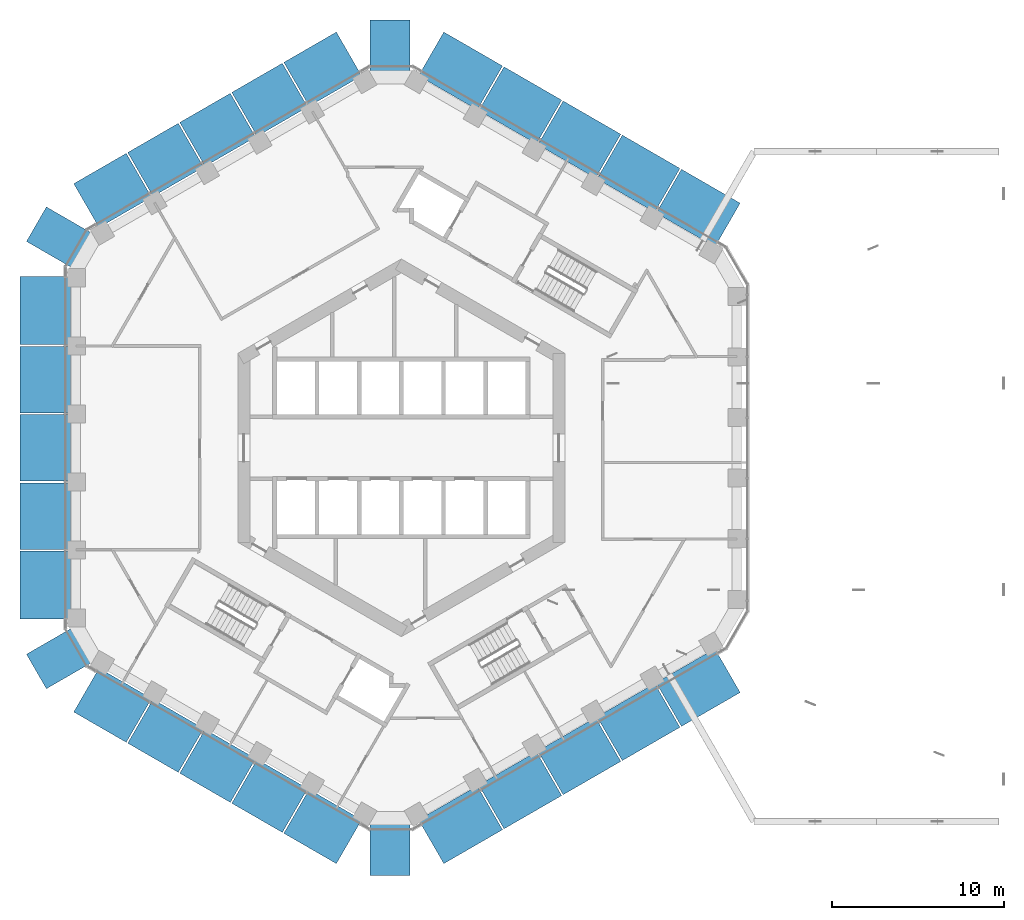
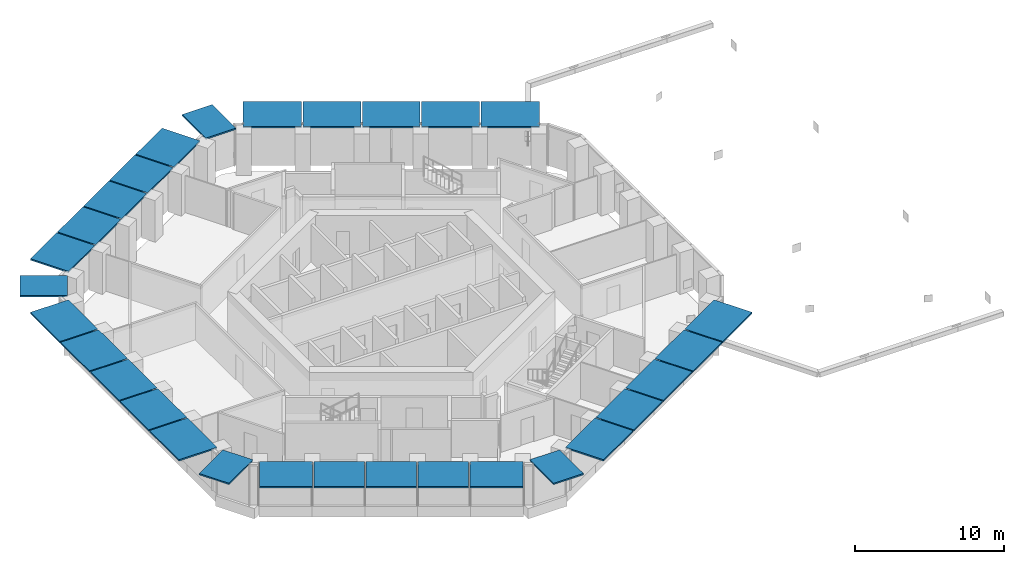
# One storey, part 16 of 21: 29 discrete accessories.
"""IFC4 building model written with IfcOpenShell, lengths in metres."""

from ifc_helpers import new_model, si_unit, direction, frame, origin, origin_2d, place, context, subcontext, project, spatial, rectangle, extrude, material, layer, layer_set, type_object, element, save


model = new_model("IFC4")

# Units and contexts
model_context = context("Model", 3, precision=1e-05, world=origin(), true_north=direction((0.0, 1.0)))
body_context = subcontext(model_context, "Body", "Model", "MODEL_VIEW")
ifc_project = project(units=[si_unit("LENGTHUNIT", "METRE"), si_unit("AREAUNIT", "SQUARE_METRE"), si_unit("VOLUMEUNIT", "CUBIC_METRE"), si_unit("PLANEANGLEUNIT", "RADIAN"), si_unit("MASSUNIT", "GRAM", prefix="KILO")], contexts=[model_context])

# Site, building, storey
site_placement = place(None, origin())
site = spatial("IfcSite", under=ifc_project, at=site_placement, CompositionType="ELEMENT")
building_placement = place(site_placement, origin())
building = spatial("IfcBuilding", under=site, at=building_placement, Name="Ayvan Gate Tower", CompositionType="ELEMENT")
storey_placement = place(building_placement, frame((0.0, 0.0, 117.10009765625)))
storey = spatial("IfcBuildingStorey", under=building, at=storey_placement, Name="L31", CompositionType="ELEMENT", Elevation=117.10009765625)

# Discrete accessories
ifc_material = material(Name="Stainless steel 316", Category="steel")
ifc_layer = layer(ifc_material, 0.1201171875)
ifc_layer_set = layer_set([ifc_layer], Name="Stainless steel 316")
discrete_accessory_type = type_object("IfcDiscreteAccessoryType", Name="Fin carrier bracket", PredefinedType="BRACKET", material=ifc_layer_set)
discrete_accessory_1_placement = place(storey_placement, frame((-20.677490234375, -7.968017578125, 3.27978515625), z_axis=(0.0, 0.0, 1.0), x_axis=(0.0, -1.0, 0.0)))
element("IfcDiscreteAccessory", 1, at=discrete_accessory_1_placement, inside=storey, type_object=discrete_accessory_type, Name="Fin carrier 61", PredefinedType="BRACKET", context=body_context, shape_type="SweptSolid", body=[
    extrude(rectangle(XDim=3.93798828125, YDim=2.939453125, at=origin_2d()), origin(), (0.0, 0.0, 1.0), 0.1201171875),
])
for number, where, z_axis, x_axis, name in (
    (2, (-20.677490234375, -3.966064453125, 3.27978515625), (0.0, 0.0, 1.0), (0.0, -1.0, 0.0), "Fin carrier 66"),
    (3, (-20.677490234375, 0.0, 3.27978515625), (0.0, 0.0, 1.0), (0.0, -1.0, 0.0), "Fin carrier 71"),
    (4, (-20.677490234375, 3.966064453125, 3.27978515625), (0.0, 0.0, 1.0), (0.0, -1.0, 0.0), "Fin carrier 76"),
):
    element("IfcDiscreteAccessory", number, at=place(storey_placement, frame(where, z_axis=z_axis, x_axis=x_axis)), inside=storey, type_object=discrete_accessory_type, Name=name, PredefinedType="BRACKET", context=body_context, shape_type="SweptSolid", body=[
        extrude(rectangle(XDim=3.865966796875, YDim=2.939453125, at=origin_2d()), origin(), (0.0, 0.0, 1.0), 0.1201171875),
    ])
discrete_accessory_2_placement = place(storey_placement, frame((-20.677490234375, 7.968017578125, 3.27978515625), z_axis=(0.0, 0.0, 1.0), x_axis=(0.0, -1.0, 0.0)))
element("IfcDiscreteAccessory", 5, at=discrete_accessory_2_placement, inside=storey, type_object=discrete_accessory_type, Name="Fin carrier 81", PredefinedType="BRACKET", context=body_context, shape_type="SweptSolid", body=[
    extrude(rectangle(XDim=3.93798828125, YDim=2.939453125, at=origin_2d()), origin(), (0.0, 0.0, 1.0), 0.1201171875),
])
for number, where, z_axis, x_axis, name in (
    (6, (-19.81591796875, -12.194580078125, 3.27978515625), (0.0, 0.0, 1.0), (0.5, -0.866025403784, 0.0), "Fin carrier 89"),
    (7, (-19.81591796875, 12.194580078125, 3.27978515625), (0.0, 0.0, 1.0), (-0.5, -0.866025403784, 0.0), "Fin carrier 97"),
):
    element("IfcDiscreteAccessory", number, at=place(storey_placement, frame(where, z_axis=z_axis, x_axis=x_axis)), inside=storey, type_object=discrete_accessory_type, Name=name, PredefinedType="BRACKET", context=body_context, shape_type="SweptSolid", body=[
        extrude(rectangle(XDim=2.314453125, YDim=3.1806640625, at=origin_2d()), origin(), (0.0, 0.0, 1.0), 0.1201171875),
    ])
discrete_accessory_3_placement = place(storey_placement, frame((-16.7666015625, -14.949951171875, 3.27978515625), z_axis=(0.0, 0.0, 1.0), x_axis=(0.866025403784, -0.5, 0.0)))
element("IfcDiscreteAccessory", 8, at=discrete_accessory_3_placement, inside=storey, type_object=discrete_accessory_type, Name="Fin carrier 210", PredefinedType="BRACKET", context=body_context, shape_type="SweptSolid", body=[
    extrude(rectangle(XDim=3.52197265625, YDim=2.939453125, at=origin_2d()), origin(), (0.0, 0.0, 1.0), 0.1201171875),
])
discrete_accessory_4_placement = place(storey_placement, frame((-16.7666015625, 14.94970703125, 3.27978515625), z_axis=(0.0, 0.0, 1.0), x_axis=(-0.866025403784, -0.5, 0.0)))
element("IfcDiscreteAccessory", 9, at=discrete_accessory_4_placement, inside=storey, type_object=discrete_accessory_type, Name="Fin carrier 215", PredefinedType="BRACKET", context=body_context, shape_type="SweptSolid", body=[
    extrude(rectangle(XDim=3.521484375, YDim=2.939453125, at=origin_2d()), origin(), (0.0, 0.0, 1.0), 0.1201171875),
])
for number, where, z_axis, x_axis, name in (
    (10, (-13.68701171875, -16.72802734375, 3.27978515625), (0.0, 0.0, 1.0), (0.866025403784, -0.5, 0.0), "Fin carrier 273"),
    (11, (-13.687255859375, 16.727783203125, 3.27978515625), (0.0, 0.0, 1.0), (-0.866025403784, -0.5, 0.0), "Fin carrier 277"),
):
    element("IfcDiscreteAccessory", number, at=place(storey_placement, frame(where, z_axis=z_axis, x_axis=x_axis)), inside=storey, type_object=discrete_accessory_type, Name=name, PredefinedType="BRACKET", context=body_context, shape_type="SweptSolid", body=[
        extrude(rectangle(XDim=3.389892578125, YDim=2.939453125, at=origin_2d()), origin(), (0.0, 0.0, 1.0), 0.1201171875),
    ])
for number, where, z_axis, x_axis, name in (
    (12, (-10.6650390625, -18.47265625, 3.27978515625), (0.0, 0.0, 1.0), (0.866025403784, -0.5, 0.0), "Fin carrier 331"),
    (13, (-10.665283203125, 18.472412109375, 3.27978515625), (0.0, 0.0, 1.0), (-0.866025403784, -0.5, 0.0), "Fin carrier 339"),
):
    element("IfcDiscreteAccessory", number, at=place(storey_placement, frame(where, z_axis=z_axis, x_axis=x_axis)), inside=storey, type_object=discrete_accessory_type, Name=name, PredefinedType="BRACKET", context=body_context, shape_type="SweptSolid", body=[
        extrude(rectangle(XDim=3.388916015625, YDim=2.939453125, at=origin_2d()), origin(), (0.0, 0.0, 1.0), 0.1201171875),
    ])
for number, where, z_axis, x_axis, name in (
    (14, (-7.64306640625, -20.217529296875, 3.27978515625), (0.0, 0.0, 1.0), (0.866025403784, -0.5, 0.0), "Fin carrier 392"),
    (15, (-7.643310546875, 20.21728515625, 3.27978515625), (0.0, 0.0, 1.0), (-0.866025403784, -0.5, 0.0), "Fin carrier 402"),
):
    element("IfcDiscreteAccessory", number, at=place(storey_placement, frame(where, z_axis=z_axis, x_axis=x_axis)), inside=storey, type_object=discrete_accessory_type, Name=name, PredefinedType="BRACKET", context=body_context, shape_type="SweptSolid", body=[
        extrude(rectangle(XDim=3.389892578125, YDim=2.939453125, at=origin_2d()), origin(), (0.0, 0.0, 1.0), 0.1201171875),
    ])
discrete_accessory_5_placement = place(storey_placement, frame((-4.5634765625, -21.995361328125, 3.27978515625), z_axis=(0.0, 0.0, 1.0), x_axis=(0.866025403784, -0.5, 0.0)))
element("IfcDiscreteAccessory", 16, at=discrete_accessory_5_placement, inside=storey, type_object=discrete_accessory_type, Name="Fin carrier 447", PredefinedType="BRACKET", context=body_context, shape_type="SweptSolid", body=[
    extrude(rectangle(XDim=3.521484375, YDim=2.939453125, at=origin_2d()), origin(), (0.0, 0.0, 1.0), 0.1201171875),
])
discrete_accessory_6_placement = place(storey_placement, frame((-4.563720703125, 21.9951171875, 3.27978515625), z_axis=(0.0, 0.0, 1.0), x_axis=(-0.866025403784, -0.5, 0.0)))
element("IfcDiscreteAccessory", 17, at=discrete_accessory_6_placement, inside=storey, type_object=discrete_accessory_type, Name="Fin carrier 457", PredefinedType="BRACKET", context=body_context, shape_type="SweptSolid", body=[
    extrude(rectangle(XDim=3.52197265625, YDim=2.939453125, at=origin_2d()), origin(), (0.0, 0.0, 1.0), 0.1201171875),
])
for number, where, z_axis, x_axis, name in (
    (18, (-0.65283203125, -23.258544921875, 3.27978515625), (0.0, 0.0, 1.0), (1.0, 0.0, 0.0), "Fin carrier 515"),
    (19, (-0.65283203125, 23.258544921875, 3.27978515625), (0.0, 0.0, 1.0), (-1.0, 0.0, 0.0), "Fin carrier 520"),
):
    element("IfcDiscreteAccessory", number, at=place(storey_placement, frame(where, z_axis=z_axis, x_axis=x_axis)), inside=storey, type_object=discrete_accessory_type, Name=name, PredefinedType="BRACKET", context=body_context, shape_type="SweptSolid", body=[
        extrude(rectangle(XDim=2.314453125, YDim=3.1806640625, at=origin_2d()), origin(), (0.0, 0.0, 1.0), 0.1201171875),
    ])
for number, where, z_axis, x_axis, name in (
    (20, (3.438232421875, -21.89111328125, 3.27978515625), (0.0, 0.0, 1.0), (0.866025403784, 0.5, 0.0), "Fin carrier 572"),
    (21, (3.438232421875, 21.89111328125, 3.27978515625), (0.0, 0.0, 1.0), (-0.866025403784, 0.5, 0.0), "Fin carrier 585"),
):
    element("IfcDiscreteAccessory", number, at=place(storey_placement, frame(where, z_axis=z_axis, x_axis=x_axis)), inside=storey, type_object=discrete_accessory_type, Name=name, PredefinedType="BRACKET", context=body_context, shape_type="SweptSolid", body=[
        extrude(rectangle(XDim=3.93798828125, YDim=2.939453125, at=origin_2d()), origin(), (0.0, 0.0, 1.0), 0.1201171875),
    ])
for number, where, z_axis, x_axis, name in (
    (22, (6.904052734375, -19.89013671875, 3.27978515625), (0.0, 0.0, 1.0), (0.866025403784, 0.5, 0.0), "Fin carrier 642"),
    (23, (6.904052734375, 19.89013671875, 3.27978515625), (0.0, 0.0, 1.0), (-0.866025403784, 0.5, 0.0), "Fin carrier 648"),
    (24, (10.338623046875, -17.9072265625, 3.27978515625), (0.0, 0.0, 1.0), (0.866025403784, 0.5, 0.0), "Fin carrier 705"),
    (25, (10.338623046875, 17.9072265625, 3.27978515625), (0.0, 0.0, 1.0), (-0.866025403784, 0.5, 0.0), "Fin carrier 708"),
    (26, (13.7734375, -15.92431640625, 3.27978515625), (0.0, 0.0, 1.0), (0.866025403784, 0.5, 0.0), "Fin carrier 758"),
    (27, (13.7734375, 15.924072265625, 3.27978515625), (0.0, 0.0, 1.0), (-0.866025403784, 0.5, 0.0), "Fin carrier 764"),
):
    element("IfcDiscreteAccessory", number, at=place(storey_placement, frame(where, z_axis=z_axis, x_axis=x_axis)), inside=storey, type_object=discrete_accessory_type, Name=name, PredefinedType="BRACKET", context=body_context, shape_type="SweptSolid", body=[
        extrude(rectangle(XDim=3.865966796875, YDim=2.939453125, at=origin_2d()), origin(), (0.0, 0.0, 1.0), 0.1201171875),
    ])
for number, where, z_axis, x_axis, name in (
    (28, (17.2392578125, -13.923095703125, 3.27978515625), (0.0, 0.0, 1.0), (0.866025403784, 0.5, 0.0), "Fin carrier 821"),
    (29, (17.2392578125, 13.923095703125, 3.27978515625), (0.0, 0.0, 1.0), (-0.866025403784, 0.5, 0.0), "Fin carrier 828"),
):
    element("IfcDiscreteAccessory", number, at=place(storey_placement, frame(where, z_axis=z_axis, x_axis=x_axis)), inside=storey, type_object=discrete_accessory_type, Name=name, PredefinedType="BRACKET", context=body_context, shape_type="SweptSolid", body=[
        extrude(rectangle(XDim=3.93798828125, YDim=2.939453125, at=origin_2d()), origin(), (0.0, 0.0, 1.0), 0.1201171875),
    ])

save(model, "model.ifc")
